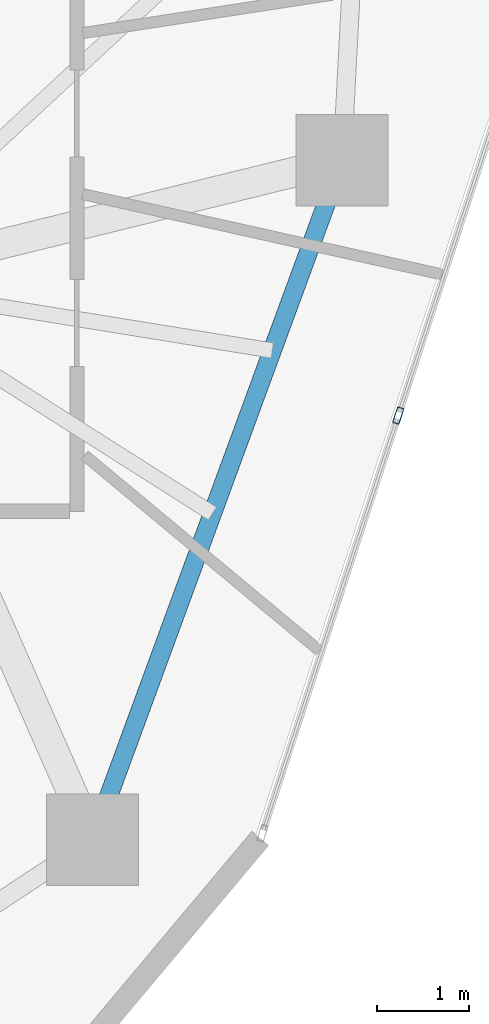
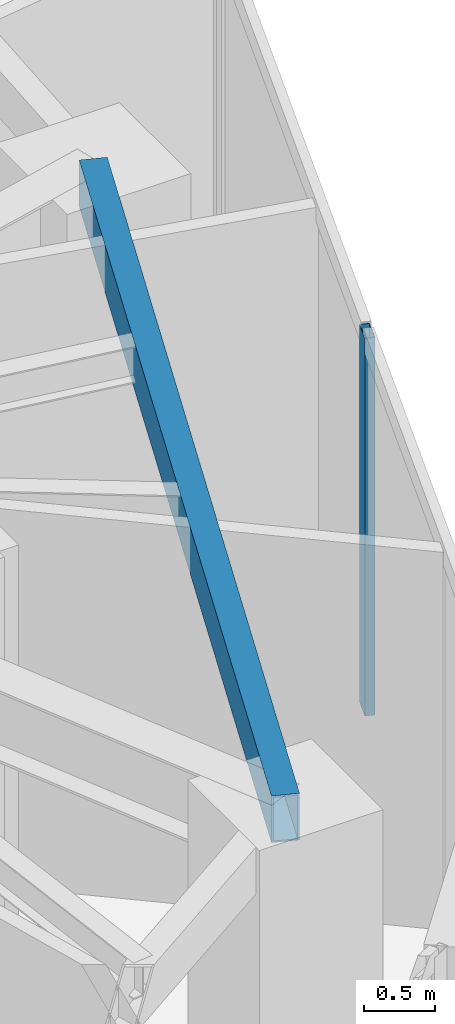
# One storey, part 6 of 19: 1 beam, 1 member, 1 element without a shape of its own.
"""IFC4 building model written with IfcOpenShell, lengths in metres."""

from ifc_helpers import new_model, si_unit, direction, frame, origin, origin_2d, place, context, subcontext, project, spatial, hollow_rectangle, extrude, source, transform, mapped, material, layer, layer_set, material_profile, profile_set, type_object, type_shapes, element, aggregate, save


model = new_model("IFC4")

# Units and contexts
model_context = context("Model", 3, precision=1e-05, world=origin(), true_north=direction((0.0, 1.0)))
body_context = subcontext(model_context, "Body", "Model", "MODEL_VIEW")
ifc_project = project(units=[si_unit("LENGTHUNIT", "METRE"), si_unit("AREAUNIT", "SQUARE_METRE"), si_unit("VOLUMEUNIT", "CUBIC_METRE"), si_unit("PLANEANGLEUNIT", "RADIAN"), si_unit("MASSUNIT", "GRAM", prefix="KILO")], contexts=[model_context])

# Site, building, storey
site_placement = place(None, origin())
site = spatial("IfcSite", under=ifc_project, at=site_placement, CompositionType="ELEMENT")
building_placement = place(site_placement, origin())
building = spatial("IfcBuilding", under=site, at=building_placement, Name="Talar Marvaseh", CompositionType="ELEMENT")
storey_placement = place(building_placement, frame((0.0, 0.0, 174.0)))
storey = spatial("IfcBuildingStorey", under=building, at=storey_placement, Name="L45", CompositionType="ELEMENT", Elevation=174.0)

# Beam
ifc_material_1 = material(Name="Steel S355", Category="steel")
ifc_material_profile_1 = material_profile(ifc_material_1, hollow_rectangle(XDim=0.199951171875, YDim=0.39990234375, WallThickness=0.013916015625, at=origin_2d()), Name="RHS400x200x14")
ifc_profile_set_1 = profile_set([ifc_material_profile_1], Name="Steel S355")
beam_type = type_object("IfcBeamType", Name="Zone 3 Perimeter Spandrel Beam RHS400x200x14", PredefinedType="SPANDREL", material=ifc_profile_set_1)
beam_placement = place(storey_placement, frame((38.68896484375, 26.823974609375, 3.030029296875), z_axis=(-0.344742291376, -0.938697370049, 0.0), x_axis=(0.938697370049, -0.344742291376, 0.0)))
element("IfcBeam", 1, at=beam_placement, inside=storey, type_object=beam_type, Name="L45 Zone 3 Perimeter Spandrel Beam RHS400x200x14", PredefinedType="SPANDREL", context=body_context, shape_type="SweptSolid", body=[
    extrude(hollow_rectangle(XDim=0.199951171875, YDim=0.39990234375, WallThickness=0.013916015625, at=origin_2d()), origin(), (0.0, 0.0, 1.0), 7.88427734375),
])

# Curtain wall, member
ifc_material_2 = material(Name="Architectural Aluminium", Category="aluminium")
ifc_layer = layer(ifc_material_2, 0.18994140625)
ifc_layer_set = layer_set([ifc_layer], Name="Architectural Aluminium")
curtain_wall_type = type_object("IfcCurtainWallType", Name="Unitised Solar Atelier Curtain Wall Z3", PredefinedType="NOTDEFINED", material=ifc_layer_set)
curtain_wall_placement = place(storey_placement, origin())
curtain_wall = element("IfcCurtainWall", 2, at=curtain_wall_placement, inside=storey, type_object=curtain_wall_type, Name="L45 Unitised Solar Atelier Curtain Wall Z3", PredefinedType="NOTDEFINED")
ifc_material_profile_2 = material_profile(ifc_material_2, hollow_rectangle(XDim=0.074951171875, YDim=0.179931640625, WallThickness=0.0048828125, at=origin_2d()), Name="RHS180x75x5")
ifc_profile_set_2 = profile_set([ifc_material_profile_2], Name="Architectural Aluminium")
member_type = type_object("IfcMemberType", Name="Unitised Curtain Wall Standard Mullion RHS180x75x5", PredefinedType="MULLION", material=ifc_profile_set_2)
shared_shape = source(origin(), body_context, "Body", "SweptSolid", [
    extrude(hollow_rectangle(XDim=0.074951171875, YDim=0.179931640625, WallThickness=0.0048828125, at=origin_2d()), origin(), (0.0, 0.0, 1.0), 3.22998046875),
])
type_shapes(member_type, [shared_shape])
member_placement = place(storey_placement, frame((39.30029296875, 24.04345703125, 0.0), z_axis=(0.0, 0.0, 1.0), x_axis=(0.95100876715, -0.30916391252, 0.0)))
member = element("IfcMember", 3, at=member_placement, type_object=member_type, Name="CW-Z3 mullion 4", PredefinedType="MULLION", context=body_context, shape_type="MappedRepresentation", body=[
    mapped(shared_shape, transform((0.0, 0.0, 0.0), x_axis=(1.0, 0.0, 0.0), y_axis=(0.0, 1.0, 0.0), z_axis=(0.0, 0.0, 1.0), scale=1.0)),
])
aggregate(curtain_wall, [member])

save(model, "model.ifc")
